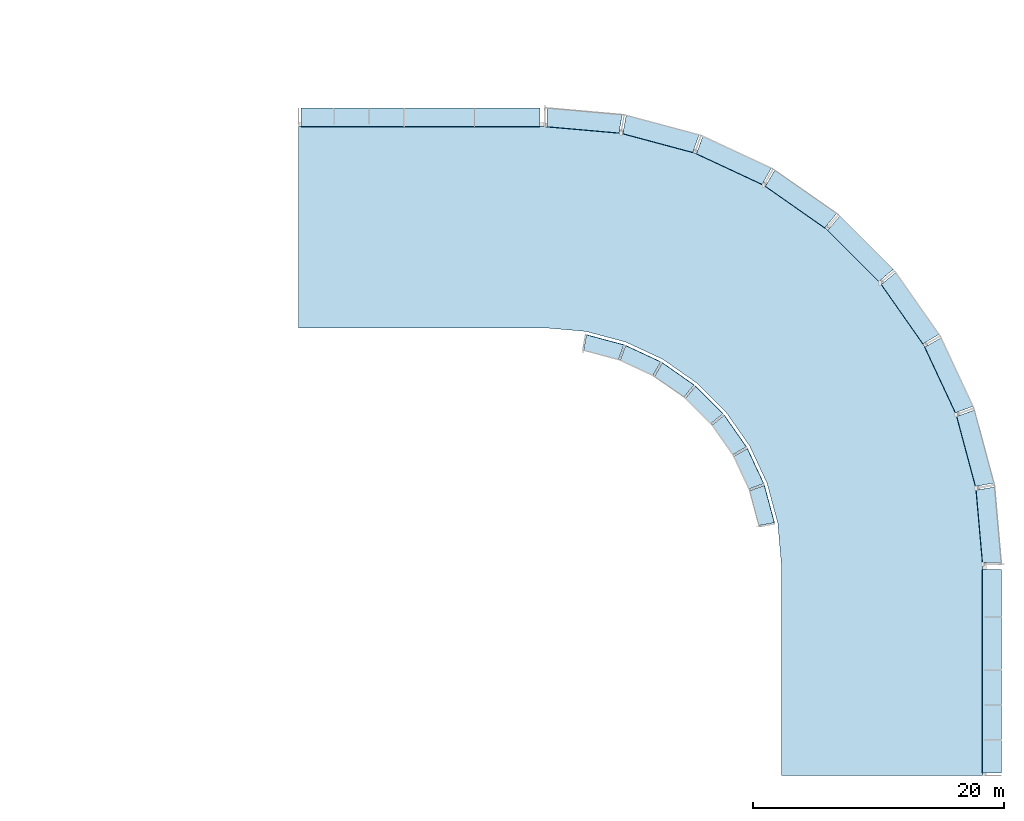
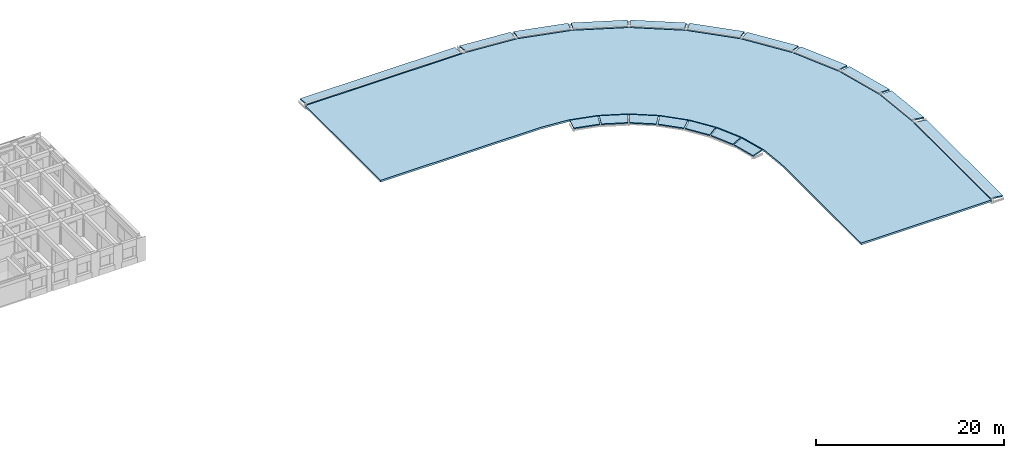
# One storey, part 7 of 23: 19 slabs, 1 element without a shape of its own.
"""IFC4 building model written with IfcOpenShell, lengths in metres."""

from ifc_helpers import new_model, si_unit, direction, frame, origin, place, context, subcontext, project, spatial, polyline, outline, extrude, material, layer, layer_set, type_object, element, aggregate, save


model = new_model("IFC4")

# Units and contexts
model_context = context("Model", 3, precision=1e-05, world=origin(), true_north=direction((0.0, 1.0)))
body_context = subcontext(model_context, "Body", "Model", "MODEL_VIEW")
ifc_project = project(units=[si_unit("LENGTHUNIT", "METRE"), si_unit("AREAUNIT", "SQUARE_METRE"), si_unit("VOLUMEUNIT", "CUBIC_METRE"), si_unit("PLANEANGLEUNIT", "RADIAN"), si_unit("MASSUNIT", "GRAM", prefix="KILO")], contexts=[model_context])

# Site, building, storey
site_placement = place(None, origin())
site = spatial("IfcSite", under=ifc_project, at=site_placement, CompositionType="ELEMENT")
building_placement = place(site_placement, origin())
building = spatial("IfcBuilding", under=site, at=building_placement, Name="Kiranvali Square Residences", CompositionType="ELEMENT")
storey_placement = place(building_placement, frame((0.0, 0.0, 43.35009765625)))
storey = spatial("IfcBuildingStorey", under=building, at=storey_placement, Name="L13", CompositionType="ELEMENT", Elevation=43.35009765625)

# Roof, slabs
ifc_material_1 = material(Name="Concrete M40 (40 MPa)", Category="concrete")
roof_type = type_object("IfcRoofType", Name="RF-FLAT-TOWER", PredefinedType="FLAT_ROOF", material=ifc_material_1)
roof_placement = place(storey_placement, origin())
roof = element("IfcRoof", 1, at=roof_placement, inside=storey, type_object=roof_type, Name="Block B Classical Ottoman overhanging eave roof assembly", PredefinedType="FLAT_ROOF")
ifc_material_2 = material(Name="Concrete M35 (35 MPa)", Category="concrete")
ifc_layer_1 = layer(ifc_material_2, 0.159912109375)
ifc_layer_set_1 = layer_set([ifc_layer_1], Name="Concrete M35 (35 MPa)")
slab_type_1 = type_object("IfcSlabType", Name="SLB-PITCH-160", PredefinedType="ROOF", material=ifc_layer_set_1)
slab_1_placement = place(storey_placement, frame((119.951904296875, 122.599609375, 0.119873046875), z_axis=(0.01155371317, 0.132077386786, 0.991172071646), x_axis=(0.996196417358, -0.087136089201, -1.070158e-06)))
slab_1 = element("IfcSlab", 2, at=slab_1_placement, type_object=slab_type_1, Name="Block B pitched Ottoman eave slab 1", PredefinedType="ROOF", context=body_context, shape_type="SweptSolid", body=[
    extrude(outline(polyline([(0.0, 0.0), (5.763376484986024, 0.0), (5.887506399633809, 1.508087265608435), (-0.12413719539198545, 1.50818230980267), (0.0, 0.0)])), origin(), (0.0, 0.0, -1.0), 0.159912109375),
])
slab_2_placement = place(storey_placement, frame((125.992431640625, 122.044677734375, 0.119873046875), z_axis=(0.034317124777, 0.128067969101, 0.991171493858), x_axis=(0.965926252049, -0.258817456134, -1.599867e-06)))
slab_2 = element("IfcSlab", 3, at=slab_2_placement, type_object=slab_type_1, Name="Block B pitched Ottoman eave slab 2", PredefinedType="ROOF", context=body_context, shape_type="SweptSolid", body=[
    extrude(outline(polyline([(0.0, 0.0), (5.763523189076189, 2.220446049250313e-16), (5.88773746597505, 1.5080146101160903), (-0.12428018457177165, 1.5081567011770178), (0.0, 0.0)])), origin(), (0.0, 0.0, -1.0), 0.159912109375),
])
slab_3_placement = place(storey_placement, frame((123.09912109375, 106.044189453125, 0.119873046875), z_axis=(-0.041341116171, -0.154275349142, 0.987162615156), x_axis=(0.965926606435, -0.258816133515, 3.580653e-06)))
slab_3 = element("IfcSlab", 4, at=slab_3_placement, type_object=slab_type_1, Name="Block B inner garden Ottoman eave slab 2", PredefinedType="ROOF", context=body_context, shape_type="SweptSolid", body=[
    extrude(outline(polyline([(0.0, 0.0), (3.070440168351265, 0.0), (2.9678686217545214, -1.2519646038923613), (0.10262755140085908, -1.2518315345909032), (0.0, 0.0)])), origin(), (0.0, 0.0, -1.0), 0.159912109375),
])
slab_4_placement = place(storey_placement, frame((131.844970703125, 120.448974609375, 0.119873046875), z_axis=(0.05602724844, 0.120154987541, 0.991172904392), x_axis=(0.906318283861, -0.422595750495, -1.546168e-06)))
slab_4 = element("IfcSlab", 5, at=slab_4_placement, type_object=slab_type_1, Name="Block B pitched Ottoman eave slab 3", PredefinedType="ROOF", context=body_context, shape_type="SweptSolid", body=[
    extrude(outline(polyline([(0.0, 0.0), (5.763304416540351, 0.0), (5.887630583694148, 1.5081369444436816), (-0.12437269624153215, 1.5082742744762854), (0.0, 0.0)])), origin(), (0.0, 0.0, -1.0), 0.159912109375),
])
slab_5_placement = place(storey_placement, frame((126.217041015625, 105.194091796875, 0.119873046875), z_axis=(-0.067505589194, -0.144760890735, 0.987161222872), x_axis=(0.906306884237, -0.422620197792, 1.928698e-06)))
slab_5 = element("IfcSlab", 6, at=slab_5_placement, type_object=slab_type_1, Name="Block B inner garden Ottoman eave slab 3", PredefinedType="ROOF", context=body_context, shape_type="SweptSolid", body=[
    extrude(outline(polyline([(0.0, 0.0), (3.070388725046991, 0.0), (2.967815518108885, -1.2518664611509276), (0.10266019540671836, -1.2517947896613018), (0.0, 0.0)])), origin(), (0.0, 0.0, -1.0), 0.159912109375),
])
slab_6_placement = place(storey_placement, frame((137.331298828125, 117.861572265625, 0.119873046875), z_axis=(0.076044549013, 0.108603655576, 0.991172271889), x_axis=(0.819144518915, -0.573587183545, 2.208907e-06)))
slab_6 = element("IfcSlab", 7, at=slab_6_placement, type_object=slab_type_1, Name="Block B pitched Ottoman eave slab 4", PredefinedType="ROOF", context=body_context, shape_type="SweptSolid", body=[
    extrude(outline(polyline([(0.0, 0.0), (5.763564638465768, 0.0), (5.887781227980728, 1.5082499124056705), (-0.1242130630196144, 1.5080537209843436), (0.0, 0.0)])), origin(), (0.0, 0.0, -1.0), 0.159912109375),
])
slab_7_placement = place(storey_placement, frame((129.139892578125, 103.8154296875, 0.119873046875), z_axis=(-0.091616313261, -0.130854166302, 0.987159378371), x_axis=(0.819197777689, -0.573511116717, 5.633519e-06)))
slab_7 = element("IfcSlab", 8, at=slab_7_placement, type_object=slab_type_1, Name="Block B inner garden Ottoman eave slab 4", PredefinedType="ROOF", context=body_context, shape_type="SweptSolid", body=[
    extrude(outline(polyline([(0.0, 0.0), (3.0705396456073046, 0.0), (2.9677080818851853, -1.2518459558197284), (0.10265643062916806, -1.2516366244273593), (0.0, 0.0)])), origin(), (0.0, 0.0, -1.0), 0.159912109375),
])
slab_8_placement = place(storey_placement, frame((142.28515625, 114.360595703125, 0.119873046875), z_axis=(0.093748705889, 0.093748705889, 0.991172215252), x_axis=(0.707106781187, -0.707106781187, 0.0)))
slab_8 = element("IfcSlab", 9, at=slab_8_placement, type_object=slab_type_1, Name="Block B pitched Ottoman eave slab 5", PredefinedType="ROOF", context=body_context, shape_type="SweptSolid", body=[
    extrude(outline(polyline([(0.0, 0.0), (5.763541747239765, 0.0), (5.8876652276287125, 1.5081469999875332), (-0.12412348038894716, 1.508146999987533), (0.0, 0.0)])), origin(), (0.0, 0.0, -1.0), 0.159912109375),
])
slab_9_placement = place(storey_placement, frame((131.779052734375, 101.950439453125, 0.119873046875), z_axis=(-0.112948342878, -0.112948342878, 0.98716024215), x_axis=(0.707106781187, -0.707106781187, 0.0)))
slab_9 = element("IfcSlab", 10, at=slab_9_placement, type_object=slab_type_1, Name="Block B inner garden Ottoman eave slab 5", PredefinedType="ROOF", context=body_context, shape_type="SweptSolid", body=[
    extrude(outline(polyline([(0.0, 0.0), (3.0708045468130636, 0.0), (2.967914985878693, -1.2517831243585786), (0.10288956093437063, -1.2517831243585784), (0.0, 0.0)])), origin(), (0.0, 0.0, -1.0), 0.159912109375),
])
slab_10_placement = place(storey_placement, frame((146.5556640625, 110.052490234375, 0.119873046875), z_axis=(0.108603655576, 0.076044549013, 0.991172271889), x_axis=(0.573587183545, -0.819144518915, -2.208907e-06)))
slab_10 = element("IfcSlab", 11, at=slab_10_placement, type_object=slab_type_1, Name="Block B pitched Ottoman eave slab 6", PredefinedType="ROOF", context=body_context, shape_type="SweptSolid", body=[
    extrude(outline(polyline([(0.0, 0.0), (5.763564638465768, 0.0), (5.8877777014853825, 1.5080537209843436), (-0.12421658951495954, 1.5082499124056707), (0.0, 0.0)])), origin(), (0.0, 0.0, -1.0), 0.159912109375),
])
slab_11_placement = place(storey_placement, frame((134.054443359375, 99.6552734375, 0.119873046875), z_axis=(-0.130854166302, -0.091616313261, 0.987159378371), x_axis=(0.573511116717, -0.819197777689, -5.633519e-06)))
slab_11 = element("IfcSlab", 12, at=slab_11_placement, type_object=slab_type_1, Name="Block B inner garden Ottoman eave slab 6", PredefinedType="ROOF", context=body_context, shape_type="SweptSolid", body=[
    extrude(outline(polyline([(0.0, 0.0), (3.0705396456073046, 0.0), (2.9678832149781362, -1.2516366244273593), (0.10283156372211912, -1.2518459558197284), (0.0, 0.0)])), origin(), (0.0, 0.0, -1.0), 0.159912109375),
])
slab_12_placement = place(storey_placement, frame((150.013427734375, 105.068359375, 0.119873046875), z_axis=(0.120154987541, 0.05602724844, 0.991172904392), x_axis=(0.422595750495, -0.906318283861, 1.546168e-06)))
slab_12 = element("IfcSlab", 13, at=slab_12_placement, type_object=slab_type_1, Name="Block B pitched Ottoman eave slab 7", PredefinedType="ROOF", context=body_context, shape_type="SweptSolid", body=[
    extrude(outline(polyline([(0.0, 0.0), (5.763304416540351, 0.0), (5.887677112781883, 1.5082742744762854), (-0.1243261671537965, 1.5081369444436816), (0.0, 0.0)])), origin(), (0.0, 0.0, -1.0), 0.159912109375),
])
slab_13_placement = place(storey_placement, frame((135.896484375, 96.999755859375, 0.119873046875), z_axis=(-0.144760890735, -0.067505589194, 0.987161222872), x_axis=(0.422620197792, -0.906306884237, -1.928698e-06)))
slab_13 = element("IfcSlab", 14, at=slab_13_placement, type_object=slab_type_1, Name="Block B inner garden Ottoman eave slab 7", PredefinedType="ROOF", context=body_context, shape_type="SweptSolid", body=[
    extrude(outline(polyline([(0.0, 0.0), (3.070388725046991, 0.0), (2.9677285296402727, -1.2517947896613018), (0.10257320693810537, -1.2518664611509276), (0.0, 0.0)])), origin(), (0.0, 0.0, -1.0), 0.159912109375),
])
slab_14_placement = place(storey_placement, frame((152.552978515625, 99.5595703125, 0.119873046875), z_axis=(0.128067969101, 0.034317124777, 0.991171493858), x_axis=(0.258817456134, -0.965926252049, 1.599867e-06)))
slab_14 = element("IfcSlab", 15, at=slab_14_placement, type_object=slab_type_1, Name="Block B pitched Ottoman eave slab 8", PredefinedType="ROOF", context=body_context, shape_type="SweptSolid", body=[
    extrude(outline(polyline([(0.0, 0.0), (5.763523189076189, -2.220446049250313e-16), (5.88780337364796, 1.5081567011770178), (-0.12421427689886178, 1.50801461011609), (0.0, 0.0)])), origin(), (0.0, 0.0, -1.0), 0.159912109375),
])
slab_15_placement = place(storey_placement, frame((137.24951171875, 94.06494140625, 0.119873046875), z_axis=(-0.154275349142, -0.041341116171, 0.987162615156), x_axis=(0.258816133515, -0.965926606435, -3.580653e-06)))
slab_15 = element("IfcSlab", 16, at=slab_15_placement, type_object=slab_type_1, Name="Block B inner garden Ottoman eave slab 8", PredefinedType="ROOF", context=body_context, shape_type="SweptSolid", body=[
    extrude(outline(polyline([(0.0, 0.0), (3.070440168351265, 0.0), (2.967812616950406, -1.2518315345909032), (0.10257154659674356, -1.2519646038923613), (0.0, 0.0)])), origin(), (0.0, 0.0, -1.0), 0.159912109375),
])
slab_16_placement = place(storey_placement, frame((154.097412109375, 93.693359375, 0.119873046875), z_axis=(0.132077386786, 0.01155371317, 0.991172071646), x_axis=(0.087136089201, -0.996196417358, 1.070158e-06)))
slab_16 = element("IfcSlab", 17, at=slab_16_placement, type_object=slab_type_1, Name="Block B pitched Ottoman eave slab 9", PredefinedType="ROOF", context=body_context, shape_type="SweptSolid", body=[
    extrude(outline(polyline([(0.0, 0.0), (5.763376484986024, 0.0), (5.887513680378009, 1.50818230980267), (-0.12412991464778432, 1.508087265608435), (0.0, 0.0)])), origin(), (0.0, 0.0, -1.0), 0.159912109375),
])
slab_17_placement = place(storey_placement, frame((119.39990234375, 122.60009765625, 0.119873046875), z_axis=(0.0, 0.132132016963, 0.99123212725), x_axis=(-1.0, 0.0, 0.0)))
slab_17 = element("IfcSlab", 18, at=slab_17_placement, type_object=slab_type_1, Name="Block B Arm 1 pitched Ottoman eave slab", PredefinedType="ROOF", context=body_context, shape_type="SweptSolid", body=[
    extrude(outline(polyline([(0.0, 0.0), (19.0, 0.0), (19.0, -1.5132681425095111), (0.0, -1.5132681425095111), (0.0, 0.0)])), origin(), (0.0, 0.0, -1.0), 0.159912109375),
])
slab_18_placement = place(storey_placement, frame((154.60009765625, 87.39990234375, 0.119873046875), z_axis=(0.132132016963, 0.0, 0.99123212725), x_axis=(0.0, -1.0, 0.0)))
slab_18 = element("IfcSlab", 19, at=slab_18_placement, type_object=slab_type_1, Name="Block B Arm 2 pitched Ottoman eave slab", PredefinedType="ROOF", context=body_context, shape_type="SweptSolid", body=[
    extrude(outline(polyline([(0.0, 0.0), (16.199951171875, 0.0), (16.199951171875, 1.5132681425095111), (0.0, 1.5132681425095111), (0.0, 0.0)])), origin(), (0.0, 0.0, -1.0), 0.159912109375),
])
ifc_layer_2 = layer(ifc_material_1, 0.239990234375)
ifc_layer_set_2 = layer_set([ifc_layer_2], Name="Concrete M40 (40 MPa)")
slab_type_2 = type_object("IfcSlabType", Name="SLB-ROOF-240", PredefinedType="ROOF", material=ifc_layer_set_2)
slab_19_placement = place(storey_placement, frame((0.0, 0.0, -0.239990234375)))
slab_19 = element("IfcSlab", 20, at=slab_19_placement, type_object=slab_type_2, Name="Block B main roof slab", PredefinedType="ROOF", context=body_context, shape_type="SweptSolid", body=[
    extrude(outline(polyline([(119.800048828125, 106.60009765625), (123.064697265625, 106.314453125), (126.22998046875, 105.46630859375), (129.199951171875, 104.081298828125), (131.884521484375, 102.20166015625), (134.20166015625, 99.884521484375), (136.081298828125, 97.199951171875), (137.46630859375, 94.22998046875), (138.314453125, 91.064697265625), (138.60009765625, 87.800048828125), (138.60009765625, 71.0), (154.60009765625, 71.0), (154.60009765625, 87.800048828125), (154.0712890625, 93.843017578125), (152.501220703125, 99.702392578125), (149.937744140625, 105.199951171875), (146.458251953125, 110.1689453125), (142.1689453125, 114.458251953125), (137.199951171875, 117.937744140625), (131.702392578125, 120.501220703125), (125.843017578125, 122.0712890625), (119.800048828125, 122.60009765625), (100.199951171875, 122.60009765625), (100.199951171875, 106.60009765625), (119.800048828125, 106.60009765625)])), origin(), (0.0, 0.0, 1.0), 0.239990234375),
])
aggregate(roof, [slab_19, slab_1, slab_2, slab_3, slab_4, slab_5, slab_6, slab_7, slab_8, slab_9, slab_10, slab_11, slab_12, slab_13, slab_14, slab_15, slab_16, slab_17, slab_18])

save(model, "model.ifc")
